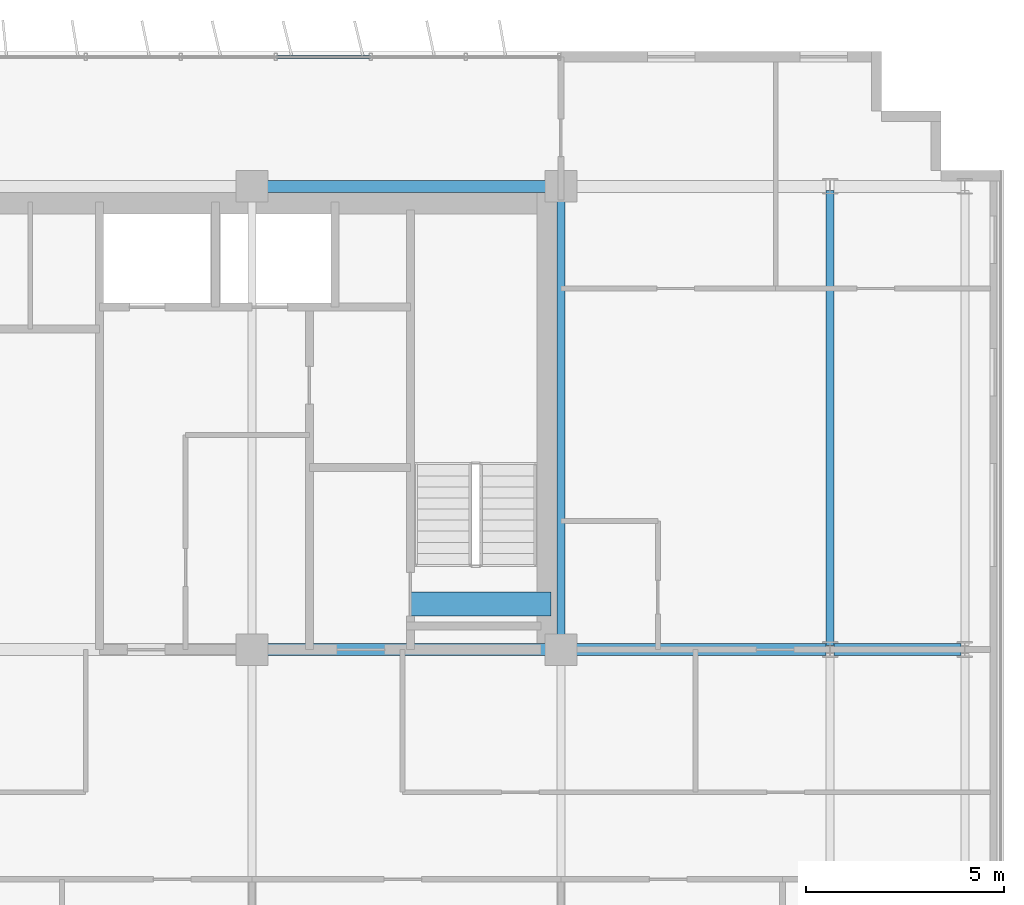
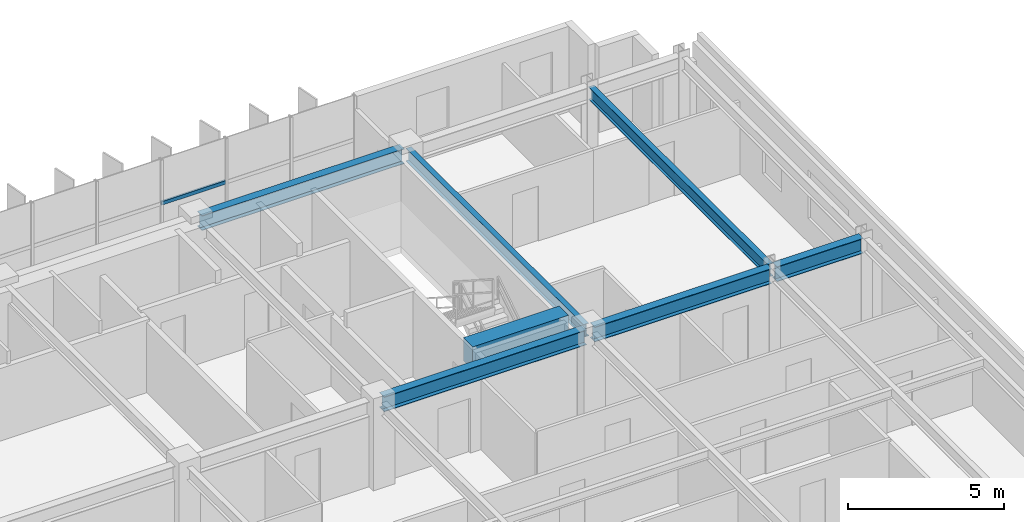
# One storey, part 10 of 22: 7 beams, 1 member, 1 element without a shape of its own.
"""IFC4 building model written with IfcOpenShell, lengths in metres."""

from ifc_helpers import new_model, si_unit, direction, frame, origin, origin_2d, place, context, subcontext, project, spatial, rectangle, hollow_rectangle, i_section, extrude, source, transform, mapped, material, material_profile, profile_set, type_object, element, aggregate, save


model = new_model("IFC4")

# Units and contexts
model_context = context("Model", 3, precision=1e-05, world=origin(), true_north=direction((0.0, 1.0)))
body_context = subcontext(model_context, "Body", "Model", "MODEL_VIEW")
ifc_project = project(units=[si_unit("LENGTHUNIT", "METRE"), si_unit("AREAUNIT", "SQUARE_METRE"), si_unit("VOLUMEUNIT", "CUBIC_METRE"), si_unit("PLANEANGLEUNIT", "RADIAN"), si_unit("MASSUNIT", "GRAM", prefix="KILO")], contexts=[model_context])

# Site, building, storey
site_placement = place(None, origin())
site = spatial("IfcSite", under=ifc_project, at=site_placement, CompositionType="ELEMENT")
building_placement = place(site_placement, origin())
building = spatial("IfcBuilding", under=site, at=building_placement, Name="Trelvane Seafront Commons", CompositionType="ELEMENT")
storey_placement = place(building_placement, frame((0.0, 0.0, 117.699951171875)))
storey = spatial("IfcBuildingStorey", under=building, at=storey_placement, Name="L30", CompositionType="ELEMENT", Elevation=117.699951171875)

# Beams
ifc_material_1 = material(Name="Concrete C60/75", Category="concrete")
ifc_material_profile_1 = material_profile(ifc_material_1, rectangle(XDim=0.60009765625, YDim=0.89990234375, at=origin_2d()), Name="RC-600x900")
ifc_profile_set_1 = profile_set([ifc_material_profile_1], Name="Concrete C60/75")
beam_type_1 = type_object("IfcBeamType", Name="STR-LNT-RC600x900", PredefinedType="LINTEL", material=ifc_profile_set_1)
shared_shape_1 = source(origin(), body_context, "Body", "SweptSolid", [
    extrude(rectangle(XDim=0.60009765625, YDim=0.89990234375, at=origin_2d()), origin(), (0.0, 0.0, 1.0), 3.550048828125),
])
beam_1_placement = place(storey_placement, frame((55.0, 34.550048828125, 2.89013671875), z_axis=(1.0, 0.0, 0.0), x_axis=(0.0, 1.0, 0.0)))
element("IfcBeam", 1, at=beam_1_placement, inside=storey, type_object=beam_type_1, Name="L30 Core Coupling Lintel Beam CB-86", PredefinedType="LINTEL", context=body_context, shape_type="MappedRepresentation", body=[
    mapped(shared_shape_1, transform((0.0, 0.0, 0.0), x_axis=(1.0, 0.0, 0.0), y_axis=(0.0, 1.0, 0.0), z_axis=(0.0, 0.0, 1.0), scale=1.0)),
])
ifc_material_2 = material(Name="Steel SM355 (S355)", Category="steel")
ifc_material_profile_2 = material_profile(ifc_material_2, i_section(OverallWidth=0.300048828125, OverallDepth=0.587890625, WebThickness=0.011962890625, FlangeThickness=0.02001953125, at=origin_2d()), Name="H-588x300x12x20")
ifc_profile_set_2 = profile_set([ifc_material_profile_2], Name="Steel SM355 (S355)")
beam_type_2 = type_object("IfcBeamType", Name="STR-BM-H588", PredefinedType="BEAM", material=ifc_profile_set_2)
shared_shape_2 = source(origin(), body_context, "Body", "SweptSolid", [
    extrude(i_section(OverallWidth=0.300048828125, OverallDepth=0.587890625, WebThickness=0.011962890625, FlangeThickness=0.02001953125, at=origin_2d()), origin(), (0.0, 0.0, 1.0), 3.199951171875),
])
beam_2_placement = place(storey_placement, frame((65.699951171875, 33.39990234375, 3.046142578125), z_axis=(1.0, 0.0, 0.0), x_axis=(0.0, 1.0, 0.0)))
element("IfcBeam", 2, at=beam_2_placement, inside=storey, type_object=beam_type_2, Name="L30 Primary Girder G-27", PredefinedType="BEAM", context=body_context, shape_type="MappedRepresentation", body=[
    mapped(shared_shape_2, transform((0.0, 0.0, 0.0), x_axis=(1.0, 0.0, 0.0), y_axis=(0.0, 1.0, 0.0), z_axis=(0.0, 0.0, 1.0), scale=1.0)),
])
shared_shape_3 = source(origin(), body_context, "Body", "SweptSolid", [
    extrude(i_section(OverallWidth=0.300048828125, OverallDepth=0.587890625, WebThickness=0.011962890625, FlangeThickness=0.02001953125, at=origin_2d()), origin(), (0.0, 0.0, 1.0), 6.550048828125),
])
beam_3_placement = place(storey_placement, frame((58.949951171875, 33.39990234375, 3.046142578125), z_axis=(1.0, 0.0, 0.0), x_axis=(0.0, 1.0, 0.0)))
element("IfcBeam", 3, at=beam_3_placement, inside=storey, type_object=beam_type_2, Name="L30 Primary Girder G-26", PredefinedType="BEAM", context=body_context, shape_type="MappedRepresentation", body=[
    mapped(shared_shape_3, transform((0.0, 0.0, 0.0), x_axis=(1.0, 0.0, 0.0), y_axis=(0.0, 1.0, 0.0), z_axis=(0.0, 0.0, 1.0), scale=1.0)),
])
shared_shape_4 = source(origin(), body_context, "Body", "SweptSolid", [
    extrude(i_section(OverallWidth=0.300048828125, OverallDepth=0.587890625, WebThickness=0.011962890625, FlangeThickness=0.02001953125, at=origin_2d()), origin(), (0.0, 0.0, 1.0), 7.5),
])
for number, where, z_axis, x_axis, name in (
    (4, (51.14990234375, 33.39990234375, 3.046142578125), (1.0, 0.0, 0.0), (0.0, 1.0, 0.0), "L30 Primary Girder G-25"),
    (5, (51.14990234375, 45.10009765625, 3.046142578125), (1.0, 0.0, 0.0), (0.0, 1.0, 0.0), "L30 Primary Girder G-34"),
):
    element("IfcBeam", number, at=place(storey_placement, frame(where, z_axis=z_axis, x_axis=x_axis)), inside=storey, type_object=beam_type_2, Name=name, PredefinedType="BEAM", context=body_context, shape_type="MappedRepresentation", body=[
        mapped(shared_shape_4, transform((0.0, 0.0, 0.0), x_axis=(1.0, 0.0, 0.0), y_axis=(0.0, 1.0, 0.0), z_axis=(0.0, 0.0, 1.0), scale=1.0)),
    ])
ifc_material_profile_3 = material_profile(ifc_material_2, i_section(OverallWidth=0.199951171875, OverallDepth=0.5, WebThickness=0.010009765625, FlangeThickness=0.01611328125, at=origin_2d()), Name="H-500x200x10x16")
ifc_profile_set_3 = profile_set([ifc_material_profile_3], Name="Steel SM355 (S355)")
beam_type_3 = type_object("IfcBeamType", Name="STR-BM-H500", PredefinedType="BEAM", material=ifc_profile_set_3)
shared_shape_5 = source(origin(), body_context, "Body", "SweptSolid", [
    extrude(i_section(OverallWidth=0.199951171875, OverallDepth=0.5, WebThickness=0.010009765625, FlangeThickness=0.01611328125, at=origin_2d()), origin(), (0.0, 0.0, 1.0), 11.5),
])
beam_4_placement = place(storey_placement, frame((65.60009765625, 33.5, 3.090087890625), z_axis=(0.0, 1.0, 0.0), x_axis=(-1.0, 0.0, 0.0)))
element("IfcBeam", 6, at=beam_4_placement, inside=storey, type_object=beam_type_3, Name="L30 Primary Girder G-63", PredefinedType="BEAM", context=body_context, shape_type="MappedRepresentation", body=[
    mapped(shared_shape_5, transform((0.0, 0.0, 0.0), x_axis=(1.0, 0.0, 0.0), y_axis=(0.0, 1.0, 0.0), z_axis=(0.0, 0.0, 1.0), scale=1.0)),
])
shared_shape_6 = source(origin(), body_context, "Body", "SweptSolid", [
    extrude(i_section(OverallWidth=0.199951171875, OverallDepth=0.5, WebThickness=0.010009765625, FlangeThickness=0.01611328125, at=origin_2d()), origin(), (0.0, 0.0, 1.0), 11.39990234375),
])
beam_5_placement = place(storey_placement, frame((58.800048828125, 33.550048828125, 3.090087890625), z_axis=(0.0, 1.0, 0.0), x_axis=(-1.0, 0.0, 0.0)))
element("IfcBeam", 7, at=beam_5_placement, inside=storey, type_object=beam_type_3, Name="L30 Primary Girder G-60", PredefinedType="BEAM", context=body_context, shape_type="MappedRepresentation", body=[
    mapped(shared_shape_6, transform((0.0, 0.0, 0.0), x_axis=(1.0, 0.0, 0.0), y_axis=(0.0, 1.0, 0.0), z_axis=(0.0, 0.0, 1.0), scale=1.0)),
])

# Curtain wall, member
ifc_material_3 = material(Name="Anodised pale-silver aluminium", Category="aluminium")
curtain_wall_type = type_object("IfcCurtainWallType", Name="ARCH-CW4-SKYLOBBY", PredefinedType="NOTDEFINED", material=ifc_material_3)
curtain_wall_placement = place(storey_placement, origin())
curtain_wall = element("IfcCurtainWall", 8, at=curtain_wall_placement, inside=storey, type_object=curtain_wall_type, Name="CW-L30-0055", PredefinedType="NOTDEFINED")
ifc_material_profile_4 = material_profile(ifc_material_3, hollow_rectangle(XDim=0.074951171875, YDim=0.139892578125, WallThickness=0.00390625, at=origin_2d()), Name="TRAN-75x140x4")
ifc_profile_set_4 = profile_set([ifc_material_profile_4], Name="Anodised pale-silver aluminium")
member_type = type_object("IfcMemberType", Name="ARCH-CW-TRAN-140", PredefinedType="USERDEFINED", material=ifc_profile_set_4)
shared_shape_7 = source(origin(), body_context, "Body", "SweptSolid", [
    extrude(hollow_rectangle(XDim=0.074951171875, YDim=0.139892578125, WallThickness=0.00390625, at=origin_2d()), origin(), (0.0, 0.0, 1.0), 2.3759765625),
])
member_placement = place(storey_placement, frame((51.612060546875, 48.3701171875, 1.60302734375), z_axis=(1.0, 0.0, 0.0), x_axis=(0.0, 1.0, 0.0)))
member = element("IfcMember", 9, at=member_placement, type_object=member_type, Name="CW-L30-0055-T15", ObjectType="TRANSOM", PredefinedType="USERDEFINED", context=body_context, shape_type="MappedRepresentation", body=[
    mapped(shared_shape_7, transform((0.0, 0.0, 0.0), x_axis=(1.0, 0.0, 0.0), y_axis=(0.0, 1.0, 0.0), z_axis=(0.0, 0.0, 1.0), scale=1.0)),
])
aggregate(curtain_wall, [member])

save(model, "model.ifc")
